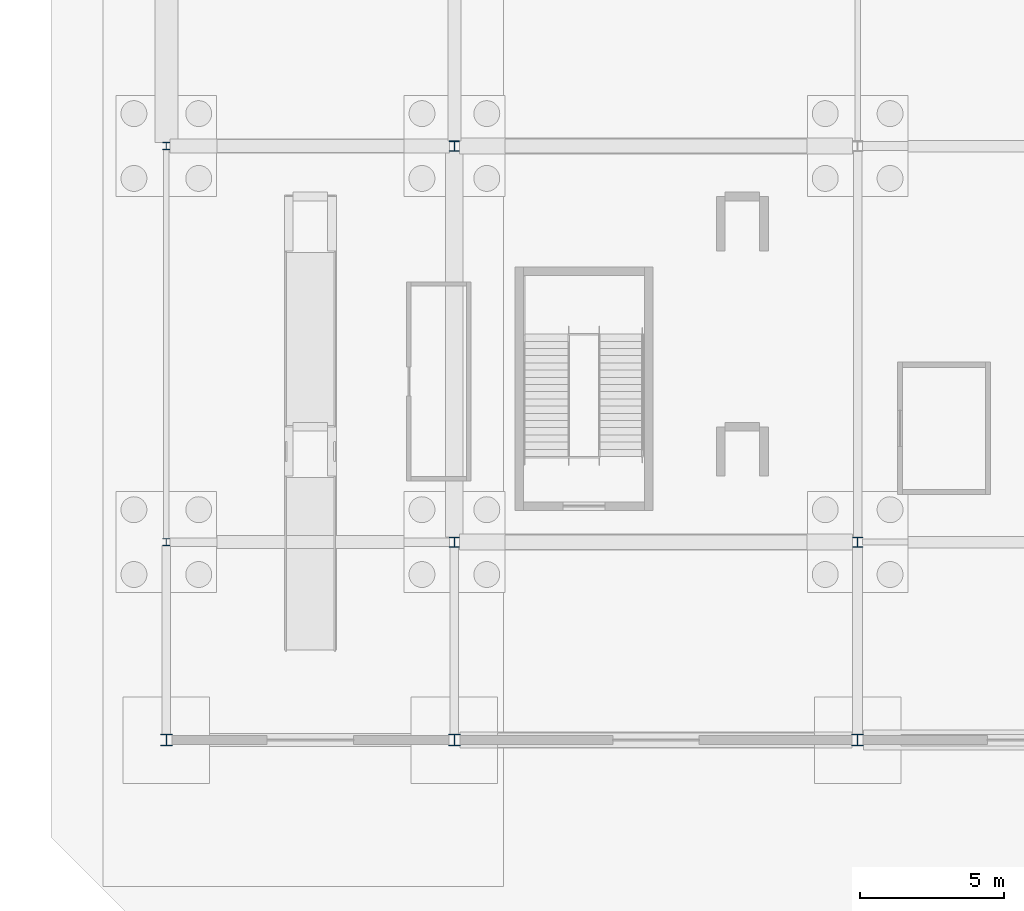
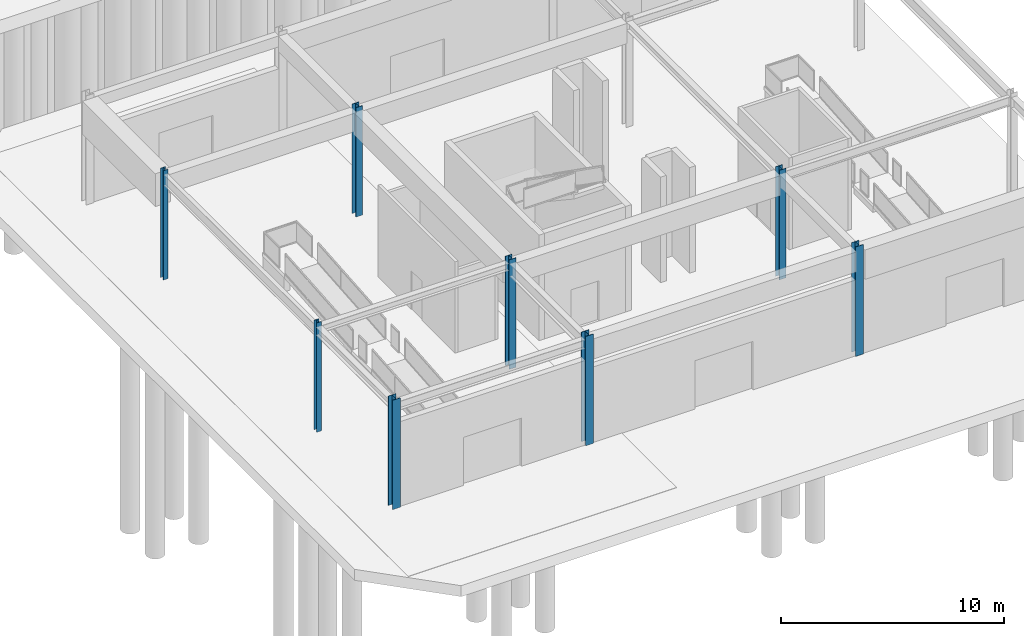
# One storey, part 8 of 62: 8 columns.
"""IFC4 building model written with IfcOpenShell, lengths in metres."""

from ifc_helpers import new_model, si_unit, direction, frame, origin, origin_2d, place, context, subcontext, project, spatial, i_section, extrude, material, material_profile, profile_set, type_object, element, save


model = new_model("IFC4")

# Units and contexts
model_context = context("Model", 3, precision=1e-05, world=origin(), true_north=direction((0.0, 1.0)))
body_context = subcontext(model_context, "Body", "Model", "MODEL_VIEW")
ifc_project = project(units=[si_unit("LENGTHUNIT", "METRE"), si_unit("AREAUNIT", "SQUARE_METRE"), si_unit("VOLUMEUNIT", "CUBIC_METRE"), si_unit("PLANEANGLEUNIT", "RADIAN"), si_unit("MASSUNIT", "GRAM", prefix="KILO")], contexts=[model_context])

# Site, building, storey
site_placement = place(None, origin())
site = spatial("IfcSite", under=ifc_project, at=site_placement, CompositionType="ELEMENT")
building_placement = place(site_placement, origin())
building = spatial("IfcBuilding", under=site, at=building_placement, Name="Linyun Crest Stadium", CompositionType="ELEMENT")
storey_placement = place(building_placement, frame((0.0, 0.0, -6.0)))
storey = spatial("IfcBuildingStorey", under=building, at=storey_placement, Name="B1", CompositionType="ELEMENT", Elevation=-6.0)

# Columns
ifc_material_1 = material(Name="Steel Q355C", Category="steel")
ifc_material_profile_1 = material_profile(ifc_material_1, i_section(OverallWidth=0.35009765625, OverallDepth=0.35009765625, WebThickness=0.011962890625, FlangeThickness=0.01904296875, at=origin_2d()), Name="HW 350x350")
ifc_profile_set_1 = profile_set([ifc_material_profile_1], Name="Steel Q355C")
column_type_1 = type_object("IfcColumnType", Name="SC01", PredefinedType="COLUMN", material=ifc_profile_set_1)
for number, where, z_axis, x_axis, name in (
    (1, (-84.0, -87.25, 0.0), (0.0, 0.0, 1.0), (1.0, 0.0, 0.0), "Column SC01 B1 865"),
    (2, (-84.0, -73.5, 0.0), (0.0, 0.0, 1.0), (1.0, 0.0, 0.0), "Column SC01 B1 868"),
    (3, (-70.0, -87.25, 0.0), (0.0, 0.0, 1.0), (1.0, 0.0, 0.0), "Column SC01 B1 877"),
):
    element("IfcColumn", number, at=place(storey_placement, frame(where, z_axis=z_axis, x_axis=x_axis)), inside=storey, type_object=column_type_1, Name=name, PredefinedType="COLUMN", context=body_context, shape_type="SweptSolid", body=[
        extrude(i_section(OverallWidth=0.35009765625, OverallDepth=0.35009765625, WebThickness=0.011962890625, FlangeThickness=0.01904296875, at=origin_2d()), origin(), (0.0, 0.0, 1.0), 5.998046875),
    ])
ifc_material_2 = material(Name="Steel Q355C", Category="steel")
ifc_material_profile_2 = material_profile(ifc_material_2, i_section(OverallWidth=0.39990234375, OverallDepth=0.39990234375, WebThickness=0.012939453125, FlangeThickness=0.02099609375, at=origin_2d()), Name="HW 400x400")
ifc_profile_set_2 = profile_set([ifc_material_profile_2], Name="Steel Q355C")
column_type_2 = type_object("IfcColumnType", Name="SC02", PredefinedType="COLUMN", material=ifc_profile_set_2)
for number, where, z_axis, x_axis, name in (
    (4, (-94.0, -94.125, 0.0), (0.0, 0.0, 1.0), (1.0, 0.0, 0.0), "Column SC02 B1 850"),
    (5, (-84.0, -94.125, 0.0), (0.0, 0.0, 1.0), (1.0, 0.0, 0.0), "Column SC02 B1 862"),
    (6, (-70.0, -94.125, 0.0), (0.0, 0.0, 1.0), (1.0, 0.0, 0.0), "Column SC02 B1 874"),
):
    element("IfcColumn", number, at=place(storey_placement, frame(where, z_axis=z_axis, x_axis=x_axis)), inside=storey, type_object=column_type_2, Name=name, PredefinedType="COLUMN", context=body_context, shape_type="SweptSolid", body=[
        extrude(i_section(OverallWidth=0.39990234375, OverallDepth=0.39990234375, WebThickness=0.012939453125, FlangeThickness=0.02099609375, at=origin_2d()), origin(), (0.0, 0.0, 1.0), 5.998046875),
    ])
ifc_material_3 = material(Name="Steel Q355C", Category="steel")
ifc_material_profile_3 = material_profile(ifc_material_3, i_section(OverallWidth=0.25, OverallDepth=0.25, WebThickness=0.009033203125, FlangeThickness=0.013916015625, at=origin_2d()), Name="HW 250x250")
ifc_profile_set_3 = profile_set([ifc_material_profile_3], Name="Steel Q355C")
column_type_3 = type_object("IfcColumnType", Name="SC07", PredefinedType="COLUMN", material=ifc_profile_set_3)
for number, where, z_axis, x_axis, name in (
    (7, (-94.0, -87.25, 0.0), (0.0, 0.0, 1.0), (1.0, 0.0, 0.0), "Column SC07 B1 853"),
    (8, (-94.0, -73.5, 0.0), (0.0, 0.0, 1.0), (1.0, 0.0, 0.0), "Column SC07 B1 856"),
):
    element("IfcColumn", number, at=place(storey_placement, frame(where, z_axis=z_axis, x_axis=x_axis)), inside=storey, type_object=column_type_3, Name=name, PredefinedType="COLUMN", context=body_context, shape_type="SweptSolid", body=[
        extrude(i_section(OverallWidth=0.25, OverallDepth=0.25, WebThickness=0.009033203125, FlangeThickness=0.013916015625, at=origin_2d()), origin(), (0.0, 0.0, 1.0), 5.998046875),
    ])

save(model, "model.ifc")
